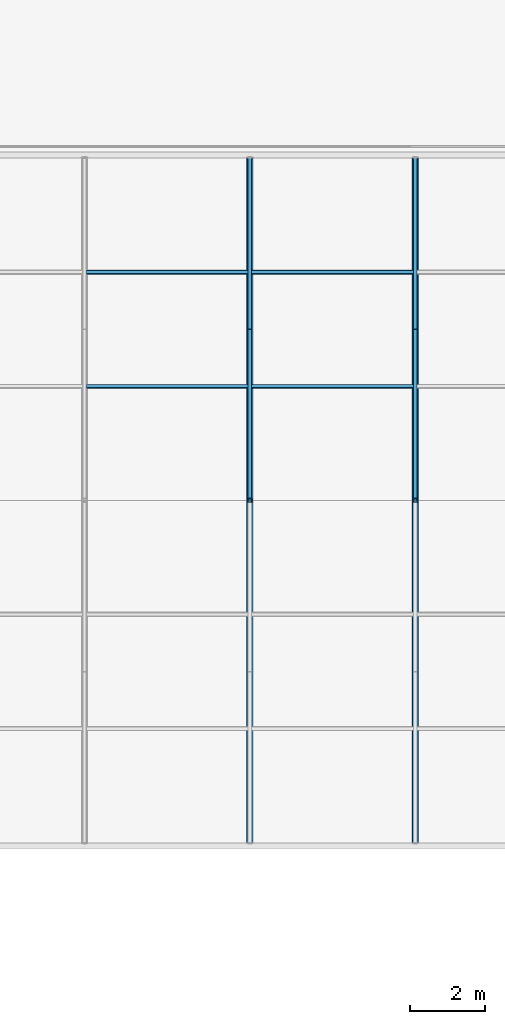
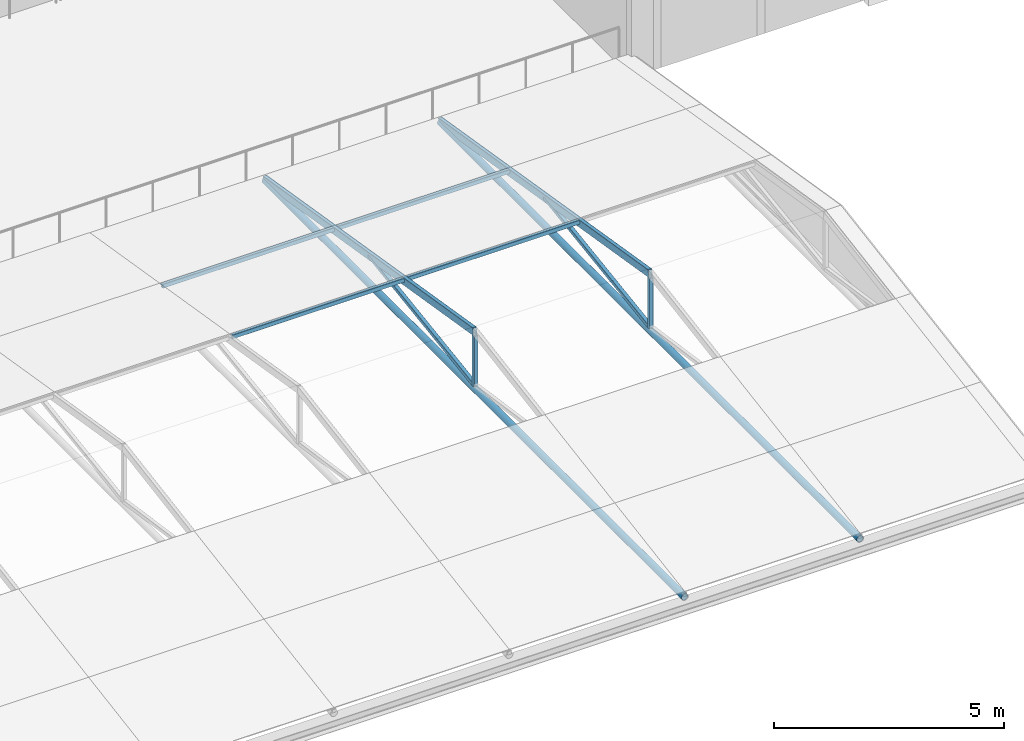
# One storey, part 10 of 69: 12 members.
"""IFC4 building model written with IfcOpenShell, lengths in metres."""

import ifcopenshell
import ifcopenshell.guid

model = None  # the IFC model being written
_history = None  # IfcOwnerHistory: only IFC2X3 demands one
_inside = {}  # id of a spatial element -> (the spatial element, [elements in it])
_under = {}  # id of a project, library or spatial element -> (it, [spatial elements below it])
_declared = {}  # id of a project -> (the project, [libraries it declares])
_typed = {}  # id of a type object -> (the type object, [elements of that type])
_made_of = {}  # id of a material, layer set ... -> (it, [elements and type objects made of it])


def new_model(schema):
    """Start an empty IFC model of exactly this schema.

    Asked for "IFC4X3", IfcOpenShell would pick the latest addendum, in which some entities
    have other attributes; the version numbers below select the first issue.
    IFC2X3 requires an IfcOwnerHistory on every rooted entity: one is made here for all.
    """
    global model, _history
    if schema == "IFC4X3":
        model = ifcopenshell.file(schema_version=(4, 3, 0, 0))
    else:
        model = ifcopenshell.file(schema=schema)
    _inside.clear()
    _under.clear()
    _declared.clear()
    _typed.clear()
    _made_of.clear()
    _history = None
    if model.schema == "IFC2X3":
        org = make("IfcOrganization", Name="unknown")
        user = make(
            "IfcPersonAndOrganization",
            ThePerson=make("IfcPerson", FamilyName="unknown"),
            TheOrganization=org,
        )
        app = make(
            "IfcApplication",
            ApplicationDeveloper=org,
            Version="unknown",
            ApplicationFullName="unknown",
            ApplicationIdentifier="unknown",
        )
        _history = make(
            "IfcOwnerHistory",
            OwningUser=user,
            OwningApplication=app,
            ChangeAction="ADDED",
            CreationDate=0,
        )
    return model


def make(cls, **values):
    """One entity of the class cls with the attributes given. An attribute that is None is left unset."""
    return model.create_entity(
        cls, **{name: value for name, value in values.items() if value is not None}
    )


def rooted(cls, **values):
    """An entity with a GlobalId (a new one), such as an element, a storey or a relation."""
    return make(cls, GlobalId=ifcopenshell.guid.new(), OwnerHistory=_history, **values)


def si_unit(unit_type, name, prefix=None):
    """IfcSIUnit, for example si_unit("LENGTHUNIT", "METRE", prefix="MILLI")."""
    return make("IfcSIUnit", UnitType=unit_type, Prefix=prefix, Name=name)


def assignment(units):
    """IfcUnitAssignment: the units of a project."""
    return None if units is None else make("IfcUnitAssignment", Units=units)


def point(xyz):
    """IfcCartesianPoint."""
    return None if xyz is None else make("IfcCartesianPoint", Coordinates=xyz)


def direction(xyz):
    """IfcDirection."""
    return None if xyz is None else make("IfcDirection", DirectionRatios=xyz)


def frame(location, z_axis=None, x_axis=None):
    """IfcAxis2Placement3D, a coordinate frame: its origin and axes. An axis left out is left unset."""
    return make(
        "IfcAxis2Placement3D",
        Location=point(location),
        Axis=direction(z_axis),
        RefDirection=direction(x_axis),
    )


def frame_2d(location, x_axis=None):
    """IfcAxis2Placement2D, a coordinate frame in the plane: its origin and x axis."""
    return make(
        "IfcAxis2Placement2D", Location=point(location), RefDirection=direction(x_axis)
    )


def origin():
    """The frame at (0, 0, 0) with its axes left unset."""
    return frame((0.0, 0.0, 0.0))


def origin_2d():
    """The frame at (0, 0) in the plane with its x axis left unset."""
    return frame_2d((0.0, 0.0))


def place(relative_to, where):
    """IfcLocalPlacement: puts the frame where relative to a parent placement (None: the world)."""
    return make(
        "IfcLocalPlacement", PlacementRelTo=relative_to, RelativePlacement=where
    )


def context(
    kind, dimensions, precision=None, world=None, true_north=None, identifier=None
):
    """IfcGeometricRepresentationContext, for example the 3D "Model" context."""
    return make(
        "IfcGeometricRepresentationContext",
        ContextIdentifier=identifier,
        ContextType=kind,
        CoordinateSpaceDimension=dimensions,
        Precision=precision,
        WorldCoordinateSystem=world,
        TrueNorth=true_north,
    )


def subcontext(parent, identifier, kind, view, scale=None):
    """IfcGeometricRepresentationSubContext, for example "Body" below "Model"."""
    return make(
        "IfcGeometricRepresentationSubContext",
        ContextIdentifier=identifier,
        ContextType=kind,
        ParentContext=parent,
        TargetScale=scale,
        TargetView=view,
    )


def project(units=None, contexts=None):
    """IfcProject with its units and contexts."""
    return rooted(
        "IfcProject",
        Name="project",
        RepresentationContexts=contexts,
        UnitsInContext=assignment(units),
    )


def spatial(cls, under=None, at=None, **own):
    """A site, building, storey or space (cls), placed at a placement, below another one or the project."""
    s = rooted(cls, ObjectPlacement=at, **own)
    if under is not None:
        _under.setdefault(under.id(), (under, []))[1].append(s)
    return s


def profile(cls, at=None, kind="AREA", **sizes):
    """A parametric profile (cls). Its sizes go by their IFC names, for example OverallWidth=200.0."""
    return make(cls, ProfileType=kind, Position=at, **sizes)


def hollow_rectangle(**sizes):
    """IfcRectangleHollowProfileDef."""
    return profile("IfcRectangleHollowProfileDef", **sizes)


def hollow_circle(**sizes):
    """IfcCircleHollowProfileDef."""
    return profile("IfcCircleHollowProfileDef", **sizes)


def extrude(swept, where, along, depth):
    """IfcExtrudedAreaSolid: the profile swept, set in the frame where, extruded along a direction by depth."""
    return make(
        "IfcExtrudedAreaSolid",
        SweptArea=swept,
        Position=where,
        ExtrudedDirection=direction(along),
        Depth=depth,
    )


def shape(context_of_items, identifier, shape_type, items):
    """IfcShapeRepresentation: the items that make up one representation, for example the "Body"."""
    return make(
        "IfcShapeRepresentation",
        ContextOfItems=context_of_items,
        RepresentationIdentifier=identifier,
        RepresentationType=shape_type,
        Items=items,
    )


def material(Name=None, Category=None):
    """IfcMaterial."""
    return make("IfcMaterial", Name=Name, Category=Category)


def material_profile(
    of_material, cross_section, Name=None, Category=None, Priority=None
):
    """IfcMaterialProfile: a cross section and its material."""
    return make(
        "IfcMaterialProfile",
        Name=Name,
        Material=of_material,
        Profile=cross_section,
        Priority=Priority,
        Category=Category,
    )


def profile_set(profiles, Name=None, composite=None):
    """IfcMaterialProfileSet."""
    return make(
        "IfcMaterialProfileSet",
        Name=Name,
        MaterialProfiles=profiles,
        CompositeProfile=composite,
    )


def made_of(thing, what):
    """Note that an element or type object is made of a material, layer set ...; save() writes the relation."""
    if what is not None:
        _made_of.setdefault(what.id(), (what, []))[1].append(thing)
    return thing


def type_object(cls, material=None, **own):
    """A type object (cls), such as IfcWallType, which elements share."""
    return made_of(rooted(cls, **own), material)


def element(
    cls,
    number,
    at=None,
    inside=None,
    cuts=None,
    type_object=None,
    material=None,
    context=None,
    identifier="Body",
    shape_type=None,
    held_by="IfcProductDefinitionShape",
    body=None,
    shapes=None,
    **own,
):
    """One element of the class cls, such as IfcWall. Its Tag is "e" and its number.

    at: its placement. inside: the storey or other place that contains it. cuts: it is an
    opening in that element (IfcRelVoidsElement). A single representation is given by context,
    identifier, shape_type and body (its items); several are given by shapes. held_by: the class
    of the entity that holds the representations. save() writes the other relations.
    """
    e = rooted(cls, Tag="e%d" % number, ObjectPlacement=at, **own)
    if body is not None:
        shapes = [shape(context, identifier, shape_type, body)]
    if shapes is not None:
        e.Representation = make(held_by, Representations=shapes)
    if inside is not None:
        _inside.setdefault(inside.id(), (inside, []))[1].append(e)
    if cuts is not None:
        rooted(
            "IfcRelVoidsElement", RelatingBuildingElement=cuts, RelatedOpeningElement=e
        )
    if type_object is not None:
        _typed.setdefault(type_object.id(), (type_object, []))[1].append(e)
    return made_of(e, material)


def aggregate(whole, parts):
    """IfcRelAggregates: a whole, such as a stair, and the parts it consists of."""
    return rooted("IfcRelAggregates", RelatingObject=whole, RelatedObjects=parts)


def save(model, path):
    """Write the relations noted so far, then the file.

    IfcRelAggregates (storeys below a building ...), IfcRelContainedInSpatialStructure (elements
    in a storey), IfcRelDefinesByType, IfcRelAssociatesMaterial and IfcRelDeclares: one each for
    every whole, place, type object, material and project.
    """
    for whole, parts in _under.values():
        aggregate(whole, parts)
    for where, things in _inside.values():
        rooted(
            "IfcRelContainedInSpatialStructure",
            RelatedElements=things,
            RelatingStructure=where,
        )
    for kind, things in _typed.values():
        rooted("IfcRelDefinesByType", RelatedObjects=things, RelatingType=kind)
    for what, things in _made_of.values():
        rooted("IfcRelAssociatesMaterial", RelatedObjects=things, RelatingMaterial=what)
    for by, libraries in _declared.values():
        rooted("IfcRelDeclares", RelatingContext=by, RelatedDefinitions=libraries)
    model.write(path)


model = new_model("IFC4")

# Units and contexts
model_context = context("Model", 3, precision=1e-05, world=origin(), true_north=direction((0.0, 1.0)))
body_context = subcontext(model_context, "Body", "Model", "MODEL_VIEW")
ifc_project = project(units=[si_unit("LENGTHUNIT", "METRE"), si_unit("AREAUNIT", "SQUARE_METRE"), si_unit("VOLUMEUNIT", "CUBIC_METRE"), si_unit("PLANEANGLEUNIT", "RADIAN"), si_unit("MASSUNIT", "GRAM", prefix="KILO")], contexts=[model_context])

# Site, building, storey
site_placement = place(None, origin())
site = spatial("IfcSite", under=ifc_project, at=site_placement, CompositionType="ELEMENT")
building_placement = place(site_placement, origin())
building = spatial("IfcBuilding", under=site, at=building_placement, Name="Kallimachos Central Library", CompositionType="ELEMENT")
storey_placement = place(building_placement, frame((0.0, 0.0, 23.39990234375)))
storey = spatial("IfcBuildingStorey", under=building, at=storey_placement, Name="L05", CompositionType="ELEMENT", Elevation=23.39990234375)

# Members
ifc_material_1 = material(Name="Steel S355J2H", Category="steel")
ifc_material_profile_1 = material_profile(ifc_material_1, hollow_circle(Radius=0.084228515625, WallThickness=0.008056640625, at=origin_2d()), Name="CHS 168.3x8")
ifc_profile_set_1 = profile_set([ifc_material_profile_1], Name="Steel S355J2H")
member_type_1 = type_object("IfcMemberType", Name="CHS 168.3x8 tie", PredefinedType="MEMBER", material=ifc_profile_set_1)
for number, where, z_axis, x_axis, name in (
    (1, (92.39990234375, 56.919921875, 0.374267578125), (0.0, 1.0, 0.0), (-1.0, 0.0, 0.0), "V4-MEM-L05-067"),
    (2, (96.800048828125, 56.919921875, 0.374267578125), (0.0, 1.0, 0.0), (-1.0, 0.0, 0.0), "V4-MEM-L05-073"),
):
    element("IfcMember", number, at=place(storey_placement, frame(where, z_axis=z_axis, x_axis=x_axis)), inside=storey, type_object=member_type_1, Name=name, PredefinedType="MEMBER", context=body_context, shape_type="SweptSolid", body=[
        extrude(hollow_circle(Radius=0.084228515625, WallThickness=0.008056640625, at=origin_2d()), origin(), (0.0, 0.0, 1.0), 18.22998046875),
    ])
ifc_material_2 = material(Name="Steel S355J2H", Category="steel")
ifc_material_profile_2 = material_profile(ifc_material_2, hollow_rectangle(XDim=0.10009765625, YDim=0.199951171875, WallThickness=0.008056640625, InnerFilletRadius=0.008056640625, OuterFilletRadius=0.011962890625, at=origin_2d()), Name="RHS 200x100x8")
ifc_profile_set_2 = profile_set([ifc_material_profile_2], Name="Steel S355J2H")
member_type_2 = type_object("IfcMemberType", Name="RHS 200x100x8 rafter", PredefinedType="RAFTER", material=ifc_profile_set_2)
for number, where, z_axis, x_axis, name in (
    (3, (92.39990234375, 75.14990234375, 0.391357421875), (0.0, -0.986728292904, 0.162380035666), (1.0, 0.0, 0.0), "V4-MEM-L05-066"),
    (4, (96.800048828125, 75.14990234375, 0.391357421875), (0.0, -0.986728292904, 0.162380035666), (1.0, 0.0, 0.0), "V4-MEM-L05-072"),
):
    element("IfcMember", number, at=place(storey_placement, frame(where, z_axis=z_axis, x_axis=x_axis)), inside=storey, type_object=member_type_2, Name=name, PredefinedType="RAFTER", context=body_context, shape_type="SweptSolid", body=[
        extrude(hollow_rectangle(XDim=0.10009765625, YDim=0.199951171875, WallThickness=0.008056640625, InnerFilletRadius=0.008056640625, OuterFilletRadius=0.011962890625, at=origin_2d()), origin(), (0.0, 0.0, 1.0), 9.237548828125),
    ])
ifc_material_3 = material(Name="Steel S355J2H", Category="steel")
ifc_material_profile_3 = material_profile(ifc_material_3, hollow_rectangle(XDim=0.10009765625, YDim=0.10009765625, WallThickness=0.008056640625, InnerFilletRadius=0.008056640625, OuterFilletRadius=0.011962890625, at=origin_2d()), Name="SHS 100x100x8")
ifc_profile_set_3 = profile_set([ifc_material_profile_3], Name="Steel S355J2H")
member_type_3 = type_object("IfcMemberType", Name="SHS 100x100x8 king post", PredefinedType="POST", material=ifc_profile_set_3)
for number, where, z_axis, x_axis, name in (
    (5, (92.39990234375, 66.034912109375, 0.45849609375), (0.0, 0.0, 1.0), (1.0, 0.0, 0.0), "V4-MEM-L05-068"),
    (6, (96.800048828125, 66.034912109375, 0.45849609375), (0.0, 0.0, 1.0), (1.0, 0.0, 0.0), "V4-MEM-L05-074"),
):
    element("IfcMember", number, at=place(storey_placement, frame(where, z_axis=z_axis, x_axis=x_axis)), inside=storey, type_object=member_type_3, Name=name, PredefinedType="POST", context=body_context, shape_type="SweptSolid", body=[
        extrude(hollow_rectangle(XDim=0.10009765625, YDim=0.10009765625, WallThickness=0.008056640625, InnerFilletRadius=0.008056640625, OuterFilletRadius=0.011962890625, at=origin_2d()), origin(), (0.0, 0.0, 1.0), 1.33154296875),
    ])
ifc_material_4 = material(Name="Steel S355J2H", Category="steel")
ifc_material_profile_4 = material_profile(ifc_material_4, hollow_rectangle(XDim=0.10009765625, YDim=0.10009765625, WallThickness=0.008056640625, InnerFilletRadius=0.008056640625, OuterFilletRadius=0.011962890625, at=origin_2d()), Name="SHS 100x100x8")
ifc_profile_set_4 = profile_set([ifc_material_profile_4], Name="Steel S355J2H")
member_type_4 = type_object("IfcMemberType", Name="SHS 100x100x8 purlin", PredefinedType="PURLIN", material=ifc_profile_set_4)
for number, where, z_axis, x_axis, name in (
    (7, (88.050048828125, 72.103515625, 0.943359375), (1.0, 0.0, 0.0), (0.0, 0.986728320778, -0.162379866283), "V4-MEM-L05-098"),
    (8, (92.449951171875, 72.103515625, 0.943359375), (1.0, 0.0, 0.0), (0.0, 0.986728320778, -0.162379866283), "V4-MEM-L05-099"),
    (9, (88.050048828125, 69.065185546875, 1.443359375), (1.0, 0.0, 0.0), (0.0, 0.986728320778, -0.162379866283), "V4-MEM-L05-104"),
    (10, (92.449951171875, 69.065185546875, 1.443359375), (1.0, 0.0, 0.0), (0.0, 0.986728320778, -0.162379866283), "V4-MEM-L05-105"),
):
    element("IfcMember", number, at=place(storey_placement, frame(where, z_axis=z_axis, x_axis=x_axis)), inside=storey, type_object=member_type_4, Name=name, PredefinedType="PURLIN", context=body_context, shape_type="SweptSolid", body=[
        extrude(hollow_rectangle(XDim=0.10009765625, YDim=0.10009765625, WallThickness=0.008056640625, InnerFilletRadius=0.008056640625, OuterFilletRadius=0.011962890625, at=origin_2d()), origin(), (0.0, 0.0, 1.0), 4.300048828125),
    ])
ifc_material_5 = material(Name="Steel S355J2H", Category="steel")
ifc_material_profile_5 = material_profile(ifc_material_5, hollow_rectangle(XDim=0.10009765625, YDim=0.10009765625, WallThickness=0.008056640625, InnerFilletRadius=0.008056640625, OuterFilletRadius=0.011962890625, at=origin_2d()), Name="SHS 100x100x8")
ifc_profile_set_5 = profile_set([ifc_material_profile_5], Name="Steel S355J2H")
member_type_5 = type_object("IfcMemberType", Name="SHS 100x100x8 strut", PredefinedType="STRUT", material=ifc_profile_set_5)
for number, where, z_axis, x_axis, name in (
    (11, (92.39990234375, 66.034912109375, 0.474365234375), (0.0, 0.989460323252, 0.144804242721), (-1.0, 0.0, 0.0), "V4-MEM-L05-070"),
    (12, (96.800048828125, 66.034912109375, 0.474365234375), (0.0, 0.989460323252, 0.144804242721), (-1.0, 0.0, 0.0), "V4-MEM-L05-076"),
):
    element("IfcMember", number, at=place(storey_placement, frame(where, z_axis=z_axis, x_axis=x_axis)), inside=storey, type_object=member_type_5, Name=name, PredefinedType="STRUT", context=body_context, shape_type="SweptSolid", body=[
        extrude(hollow_rectangle(XDim=0.10009765625, YDim=0.10009765625, WallThickness=0.008056640625, InnerFilletRadius=0.008056640625, OuterFilletRadius=0.011962890625, at=origin_2d()), origin(), (0.0, 0.0, 1.0), 4.606201171875),
    ])

save(model, "model.ifc")
